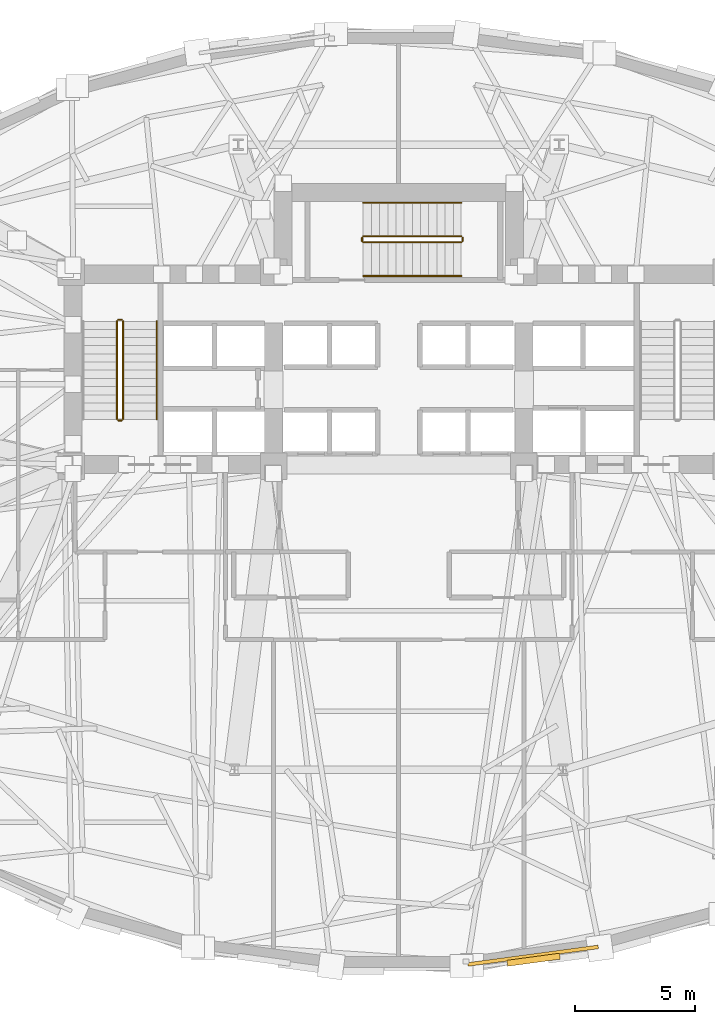
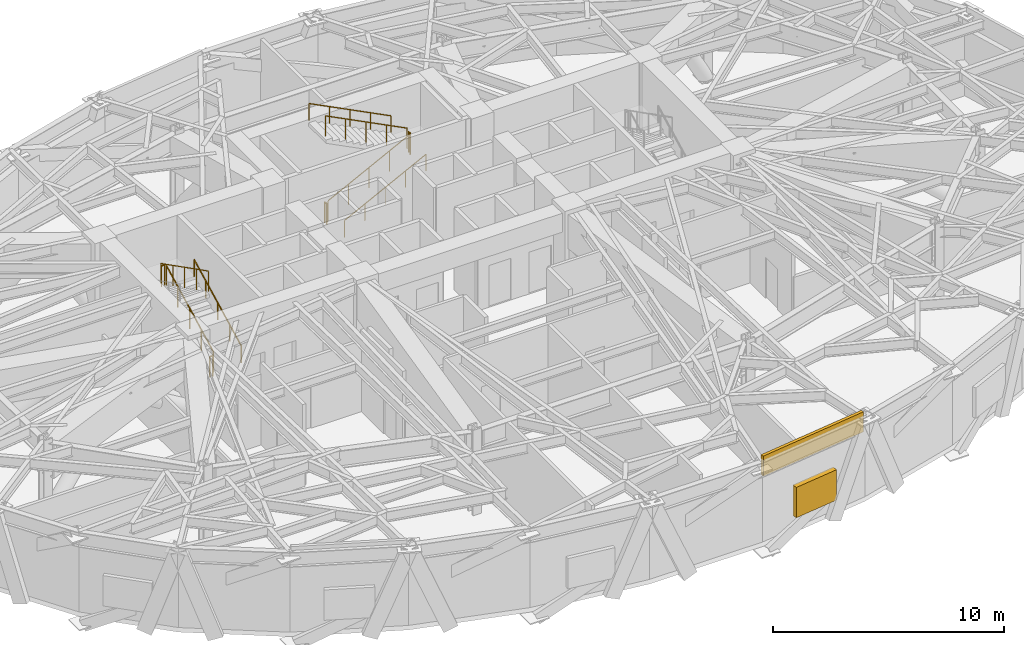
# One storey, part 12 of 14: 11 railings, 1 covering, 1 shading device.
"""IFC4 building model written with IfcOpenShell, lengths in metres."""

from ifc_helpers import new_model, si_unit, direction, frame, origin, origin_2d, place, context, subcontext, project, spatial, rectangle, circle, extrude, material, layer, layer_set, type_object, element, save


model = new_model("IFC4")

# Units and contexts
model_context = context("Model", 3, precision=1e-05, world=origin(), true_north=direction((0.0, 1.0)))
body_context = subcontext(model_context, "Body", "Model", "MODEL_VIEW")
ifc_project = project(units=[si_unit("LENGTHUNIT", "METRE"), si_unit("AREAUNIT", "SQUARE_METRE"), si_unit("VOLUMEUNIT", "CUBIC_METRE"), si_unit("PLANEANGLEUNIT", "RADIAN"), si_unit("MASSUNIT", "GRAM", prefix="KILO")], contexts=[model_context])

# Site, building, storey
site_placement = place(None, origin())
site = spatial("IfcSite", under=ifc_project, at=site_placement, CompositionType="ELEMENT")
building_placement = place(site_placement, origin())
building = spatial("IfcBuilding", under=site, at=building_placement, Name="Keldmark Tower", CompositionType="ELEMENT")
storey_placement = place(building_placement, frame((0.0, 0.0, 77.39990234375)))
storey = spatial("IfcBuildingStorey", under=building, at=storey_placement, Name="L20", CompositionType="ELEMENT", Elevation=77.39990234375)

# Covering
ifc_material_1 = material(Name="Honed Kasota Buff Dolomitic Limestone", Category="masonry")
ifc_layer = layer(ifc_material_1, 0.074951171875)
ifc_layer_set = layer_set([ifc_layer], Name="Honed Kasota Buff Dolomitic Limestone")
covering_type = type_object("IfcCoveringType", Name="Kasota Buff Limestone Spandrel Cladding Band", PredefinedType="CLADDING", material=ifc_layer_set)
covering_placement = place(storey_placement, frame((5.576904296875, -18.92431640625, 3.422119140625), z_axis=(0.0, 0.0, 1.0), x_axis=(0.991050889278, 0.133484586607, 0.0)))
element("IfcCovering", 1, at=covering_placement, inside=storey, type_object=covering_type, Name="L20 Kasota Limestone Spandrel Band 25", PredefinedType="CLADDING", context=body_context, shape_type="SweptSolid", body=[
    extrude(rectangle(XDim=5.46728515625, YDim=0.14990234375, at=origin_2d()), origin(), (0.0, 0.0, 1.0), 1.05810546875),
])

# Shading device
ifc_material_2 = material(Name="Fluoropolymer-Coated Extruded Aluminum Stormproof Blades", Category="aluminium")
shading_device_type = type_object("IfcShadingDeviceType", Name="Mechanical Floor Acoustic Intake Louvre", PredefinedType="JALOUSIE", material=ifc_material_2)
shading_device_placement = place(storey_placement, frame((5.599609375, -19.0927734375, 0.650146484375), z_axis=(0.0, 0.0, 1.0), x_axis=(0.991050889278, 0.133484586607, 0.0)))
element("IfcShadingDevice", 2, at=shading_device_placement, inside=storey, type_object=shading_device_type, Name="L20 Acoustic Stormproof Louvre 25", PredefinedType="JALOUSIE", context=body_context, shape_type="SweptSolid", body=[
    extrude(rectangle(XDim=2.199951171875, YDim=0.25, at=origin_2d()), origin(), (0.0, 0.0, 1.0), 1.60009765625),
])

# Railings
ifc_material_3 = material(Name="Painted Steel ASTM A500 Grade B", Category="steel")
railing_type_1 = type_object("IfcRailingType", Name="Painted Steel Stair Well Guard 1100 mm", PredefinedType="GUARDRAIL", material=ifc_material_3)
railing_1_placement = place(storey_placement, frame((-11.449951171875, 3.35009765625, 0.173095703125)))
element("IfcRailing", 3, at=railing_1_placement, inside=storey, type_object=railing_type_1, Name="L20 ST1 stair guard 1", PredefinedType="GUARDRAIL", context=body_context, shape_type="SweptSolid", body=[
    extrude(circle(Radius=0.02392578125, at=origin_2d()), frame((0.0, 0.0, 1.076171875), z_axis=(0.0, 0.891172131844, 0.453665329759), x_axis=(-1.0, 0.0, 0.0)), (0.0, 0.0, 1.0), 4.578125),
    extrude(circle(Radius=0.02099609375, at=origin_2d()), origin(), (0.0, 0.0, 1.0), 1.052001953125),
    extrude(circle(Radius=0.02099609375, at=origin_2d()), frame((0.0, 1.02001953125, 0.519287109375)), (0.0, 0.0, 1.0), 1.052001953125),
    extrude(circle(Radius=0.02099609375, at=origin_2d()), frame((0.0, 2.0400390625, 1.03857421875)), (0.0, 0.0, 1.0), 1.052001953125),
    extrude(circle(Radius=0.02099609375, at=origin_2d()), frame((0.0, 3.059814453125, 1.5576171875)), (0.0, 0.0, 1.0), 1.052001953125),
    extrude(circle(Radius=0.02099609375, at=origin_2d()), frame((0.0, 4.079833984375, 2.076904296875)), (0.0, 0.0, 1.0), 1.052001953125),
])
railing_2_placement = place(storey_placement, frame((-11.5, 7.47998046875, 2.25)))
element("IfcRailing", 4, at=railing_2_placement, inside=storey, type_object=railing_type_1, Name="L20 ST1 stair guard 2", PredefinedType="GUARDRAIL", context=body_context, shape_type="SweptSolid", body=[
    extrude(circle(Radius=0.02392578125, at=origin_2d()), frame((0.0, 0.0, 1.076171875), z_axis=(-1.0, 0.0, 0.0), x_axis=(0.0, -1.0, 0.0)), (0.0, 0.0, 1.0), 0.14990234375),
    extrude(circle(Radius=0.02099609375, at=origin_2d()), origin(), (0.0, 0.0, 1.0), 1.052001953125),
    extrude(circle(Radius=0.02099609375, at=origin_2d()), frame((-0.14990234375, 0.0, 0.0)), (0.0, 0.0, 1.0), 1.052001953125),
])
railing_3_placement = place(storey_placement, frame((-11.699951171875, 7.429931640625, 2.423095703125)))
element("IfcRailing", 5, at=railing_3_placement, inside=storey, type_object=railing_type_1, Name="L20 ST1 stair guard 3", PredefinedType="GUARDRAIL", context=body_context, shape_type="SweptSolid", body=[
    extrude(circle(Radius=0.02392578125, at=origin_2d()), frame((0.0, 0.0, 1.076171875), z_axis=(0.0, -0.891172131844, 0.453665329759), x_axis=(1.0, 0.0, 0.0)), (0.0, 0.0, 1.0), 4.578125),
    extrude(circle(Radius=0.02099609375, at=origin_2d()), origin(), (0.0, 0.0, 1.0), 1.052001953125),
    extrude(circle(Radius=0.02099609375, at=origin_2d()), frame((0.0, -1.02001953125, 0.519287109375)), (0.0, 0.0, 1.0), 1.052001953125),
    extrude(circle(Radius=0.02099609375, at=origin_2d()), frame((0.0, -2.0400390625, 1.03857421875)), (0.0, 0.0, 1.0), 1.052001953125),
    extrude(circle(Radius=0.02099609375, at=origin_2d()), frame((0.0, -3.059814453125, 1.5576171875)), (0.0, 0.0, 1.0), 1.052001953125),
    extrude(circle(Radius=0.02099609375, at=origin_2d()), frame((0.0, -4.079833984375, 2.076904296875)), (0.0, 0.0, 1.0), 1.052001953125),
])
railing_4_placement = place(storey_placement, frame((-11.5, 3.300048828125, 0.0)))
element("IfcRailing", 6, at=railing_4_placement, inside=storey, type_object=railing_type_1, Name="L20 ST1 stair guard 4", PredefinedType="GUARDRAIL", context=body_context, shape_type="SweptSolid", body=[
    extrude(circle(Radius=0.02392578125, at=origin_2d()), frame((0.0, 0.0, 1.076171875), z_axis=(-1.0, 0.0, 0.0), x_axis=(0.0, -1.0, 0.0)), (0.0, 0.0, 1.0), 0.14990234375),
    extrude(circle(Radius=0.02099609375, at=origin_2d()), origin(), (0.0, 0.0, 1.0), 1.052001953125),
    extrude(circle(Radius=0.02099609375, at=origin_2d()), frame((-0.14990234375, 0.0, 0.0)), (0.0, 0.0, 1.0), 1.052001953125),
])
railing_5_placement = place(storey_placement, frame((-1.47509765625, 10.699951171875, 0.173095703125)))
element("IfcRailing", 7, at=railing_5_placement, inside=storey, type_object=railing_type_1, Name="L20 ST3 stair guard 1", PredefinedType="GUARDRAIL", context=body_context, shape_type="SweptSolid", body=[
    extrude(circle(Radius=0.02392578125, at=origin_2d()), frame((0.0, 0.0, 1.076171875), z_axis=(0.891183106714, 0.0, 0.453643770274), x_axis=(0.0, 1.0, 0.0)), (0.0, 0.0, 1.0), 4.578369140625),
    extrude(circle(Radius=0.02099609375, at=origin_2d()), origin(), (0.0, 0.0, 1.0), 1.052001953125),
    extrude(circle(Radius=0.02099609375, at=origin_2d()), frame((1.02001953125, 0.0, 0.519287109375)), (0.0, 0.0, 1.0), 1.052001953125),
    extrude(circle(Radius=0.02099609375, at=origin_2d()), frame((2.0400390625, 0.0, 1.03857421875)), (0.0, 0.0, 1.0), 1.052001953125),
    extrude(circle(Radius=0.02099609375, at=origin_2d()), frame((3.06005859375, 0.0, 1.5576171875)), (0.0, 0.0, 1.0), 1.052001953125),
    extrude(circle(Radius=0.02099609375, at=origin_2d()), frame((4.080078125, 0.0, 2.076904296875)), (0.0, 0.0, 1.0), 1.052001953125),
])
railing_6_placement = place(storey_placement, frame((2.655029296875, 10.75, 2.25)))
element("IfcRailing", 8, at=railing_6_placement, inside=storey, type_object=railing_type_1, Name="L20 ST3 stair guard 2", PredefinedType="GUARDRAIL", context=body_context, shape_type="SweptSolid", body=[
    extrude(circle(Radius=0.02392578125, at=origin_2d()), frame((0.0, 0.0, 1.076171875), z_axis=(0.0, 1.0, 0.0), x_axis=(-1.0, 0.0, 0.0)), (0.0, 0.0, 1.0), 0.14990234375),
    extrude(circle(Radius=0.02099609375, at=origin_2d()), origin(), (0.0, 0.0, 1.0), 1.052001953125),
    extrude(circle(Radius=0.02099609375, at=origin_2d()), frame((0.0, 0.14990234375, 0.0)), (0.0, 0.0, 1.0), 1.052001953125),
])
railing_7_placement = place(storey_placement, frame((2.60498046875, 10.949951171875, 2.423095703125)))
element("IfcRailing", 9, at=railing_7_placement, inside=storey, type_object=railing_type_1, Name="L20 ST3 stair guard 3", PredefinedType="GUARDRAIL", context=body_context, shape_type="SweptSolid", body=[
    extrude(circle(Radius=0.02392578125, at=origin_2d()), frame((0.0, 0.0, 1.076171875), z_axis=(-0.891183106714, 0.0, 0.453643770274), x_axis=(0.0, -1.0, 0.0)), (0.0, 0.0, 1.0), 4.578369140625),
    extrude(circle(Radius=0.02099609375, at=origin_2d()), origin(), (0.0, 0.0, 1.0), 1.052001953125),
    extrude(circle(Radius=0.02099609375, at=origin_2d()), frame((-1.02001953125, 0.0, 0.519287109375)), (0.0, 0.0, 1.0), 1.052001953125),
    extrude(circle(Radius=0.02099609375, at=origin_2d()), frame((-2.0400390625, 0.0, 1.03857421875)), (0.0, 0.0, 1.0), 1.052001953125),
    extrude(circle(Radius=0.02099609375, at=origin_2d()), frame((-3.06005859375, 0.0, 1.5576171875)), (0.0, 0.0, 1.0), 1.052001953125),
    extrude(circle(Radius=0.02099609375, at=origin_2d()), frame((-4.080078125, 0.0, 2.076904296875)), (0.0, 0.0, 1.0), 1.052001953125),
])
railing_8_placement = place(storey_placement, frame((-1.52490234375, 10.75, 0.0)))
element("IfcRailing", 10, at=railing_8_placement, inside=storey, type_object=railing_type_1, Name="L20 ST3 stair guard 4", PredefinedType="GUARDRAIL", context=body_context, shape_type="SweptSolid", body=[
    extrude(circle(Radius=0.02392578125, at=origin_2d()), frame((0.0, 0.0, 1.076171875), z_axis=(0.0, 1.0, 0.0), x_axis=(-1.0, 0.0, 0.0)), (0.0, 0.0, 1.0), 0.14990234375),
    extrude(circle(Radius=0.02099609375, at=origin_2d()), origin(), (0.0, 0.0, 1.0), 1.052001953125),
    extrude(circle(Radius=0.02099609375, at=origin_2d()), frame((0.0, 0.14990234375, 0.0)), (0.0, 0.0, 1.0), 1.052001953125),
])
ifc_material_4 = material(Name="Stainless Steel AISI 316L", Category="steel")
railing_type_2 = type_object("IfcRailingType", Name="Stainless Steel Stair Handrail 900 mm", PredefinedType="HANDRAIL", material=ifc_material_4)
railing_9_placement = place(storey_placement, frame((-10.050048828125, 3.35009765625, 0.173095703125)))
element("IfcRailing", 11, at=railing_9_placement, inside=storey, type_object=railing_type_2, Name="L20 ST1 stair handrail 1", PredefinedType="HANDRAIL", context=body_context, shape_type="SweptSolid", body=[
    extrude(circle(Radius=0.02392578125, at=origin_2d()), frame((0.0, 0.0, 0.8759765625), z_axis=(0.0, 0.891172131844, 0.453665329759), x_axis=(-1.0, 0.0, 0.0)), (0.0, 0.0, 1.0), 4.578125),
    extrude(circle(Radius=0.02099609375, at=origin_2d()), origin(), (0.0, 0.0, 1.0), 0.851806640625),
    extrude(circle(Radius=0.02099609375, at=origin_2d()), frame((0.0, 1.02001953125, 0.519287109375)), (0.0, 0.0, 1.0), 0.851806640625),
    extrude(circle(Radius=0.02099609375, at=origin_2d()), frame((0.0, 2.0400390625, 1.03857421875)), (0.0, 0.0, 1.0), 0.851806640625),
    extrude(circle(Radius=0.02099609375, at=origin_2d()), frame((0.0, 3.059814453125, 1.5576171875)), (0.0, 0.0, 1.0), 0.851806640625),
    extrude(circle(Radius=0.02099609375, at=origin_2d()), frame((0.0, 4.079833984375, 2.076904296875)), (0.0, 0.0, 1.0), 0.851806640625),
])
railing_10_placement = place(storey_placement, frame((-1.47509765625, 9.300048828125, 0.173095703125)))
element("IfcRailing", 12, at=railing_10_placement, inside=storey, type_object=railing_type_2, Name="L20 ST3 stair handrail 1", PredefinedType="HANDRAIL", context=body_context, shape_type="SweptSolid", body=[
    extrude(circle(Radius=0.02392578125, at=origin_2d()), frame((0.0, 0.0, 0.8759765625), z_axis=(0.891183106714, 0.0, 0.453643770274), x_axis=(0.0, 1.0, 0.0)), (0.0, 0.0, 1.0), 4.578369140625),
    extrude(circle(Radius=0.02099609375, at=origin_2d()), origin(), (0.0, 0.0, 1.0), 0.851806640625),
    extrude(circle(Radius=0.02099609375, at=origin_2d()), frame((1.02001953125, 0.0, 0.519287109375)), (0.0, 0.0, 1.0), 0.851806640625),
    extrude(circle(Radius=0.02099609375, at=origin_2d()), frame((2.0400390625, 0.0, 1.03857421875)), (0.0, 0.0, 1.0), 0.851806640625),
    extrude(circle(Radius=0.02099609375, at=origin_2d()), frame((3.06005859375, 0.0, 1.5576171875)), (0.0, 0.0, 1.0), 0.851806640625),
    extrude(circle(Radius=0.02099609375, at=origin_2d()), frame((4.080078125, 0.0, 2.076904296875)), (0.0, 0.0, 1.0), 0.851806640625),
])
railing_11_placement = place(storey_placement, frame((2.60498046875, 12.35009765625, 2.423095703125)))
element("IfcRailing", 13, at=railing_11_placement, inside=storey, type_object=railing_type_2, Name="L20 ST3 stair handrail 2", PredefinedType="HANDRAIL", context=body_context, shape_type="SweptSolid", body=[
    extrude(circle(Radius=0.02392578125, at=origin_2d()), frame((0.0, 0.0, 0.8759765625), z_axis=(-0.891183106714, 0.0, 0.453643770274), x_axis=(0.0, -1.0, 0.0)), (0.0, 0.0, 1.0), 4.578369140625),
    extrude(circle(Radius=0.02099609375, at=origin_2d()), origin(), (0.0, 0.0, 1.0), 0.851806640625),
    extrude(circle(Radius=0.02099609375, at=origin_2d()), frame((-1.02001953125, 0.0, 0.519287109375)), (0.0, 0.0, 1.0), 0.851806640625),
    extrude(circle(Radius=0.02099609375, at=origin_2d()), frame((-2.0400390625, 0.0, 1.03857421875)), (0.0, 0.0, 1.0), 0.851806640625),
    extrude(circle(Radius=0.02099609375, at=origin_2d()), frame((-3.06005859375, 0.0, 1.5576171875)), (0.0, 0.0, 1.0), 0.851806640625),
    extrude(circle(Radius=0.02099609375, at=origin_2d()), frame((-4.080078125, 0.0, 2.076904296875)), (0.0, 0.0, 1.0), 0.851806640625),
])

save(model, "model.ifc")
